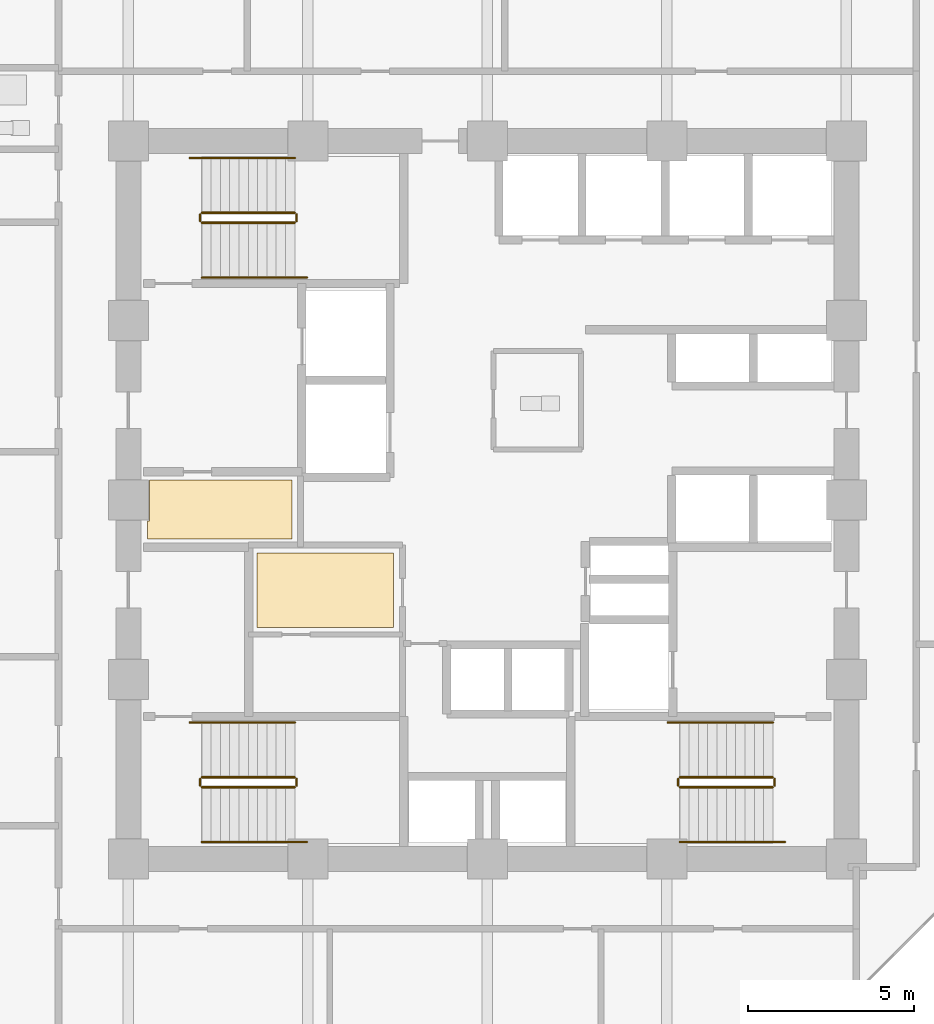
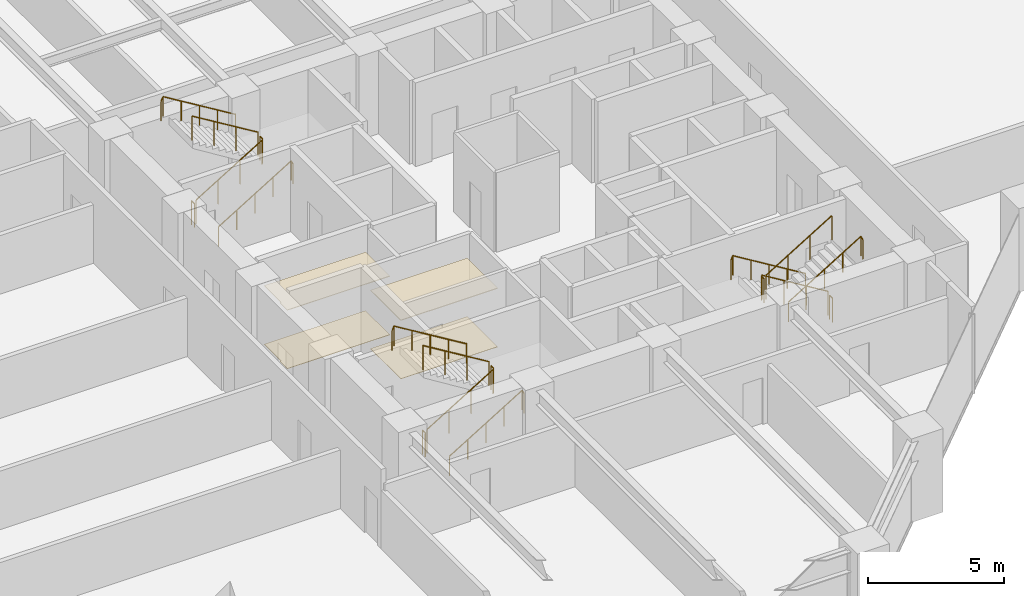
# One storey, part 23 of 24: 18 railings, 4 coverings.
"""IFC4 building model written with IfcOpenShell, lengths in metres."""

from ifc_helpers import new_model, si_unit, direction, frame, origin, origin_2d, place, context, subcontext, project, spatial, polyline, circle, outline, extrude, material, layer, layer_set, type_object, element, save


model = new_model("IFC4")

# Units and contexts
model_context = context("Model", 3, precision=1e-05, world=origin(), true_north=direction((0.0, 1.0)))
body_context = subcontext(model_context, "Body", "Model", "MODEL_VIEW")
ifc_project = project(units=[si_unit("LENGTHUNIT", "METRE"), si_unit("AREAUNIT", "SQUARE_METRE"), si_unit("VOLUMEUNIT", "CUBIC_METRE"), si_unit("PLANEANGLEUNIT", "RADIAN"), si_unit("MASSUNIT", "GRAM", prefix="KILO")], contexts=[model_context])

# Site, building, storey
site_placement = place(None, origin())
site = spatial("IfcSite", under=ifc_project, at=site_placement, CompositionType="ELEMENT")
building_placement = place(site_placement, origin())
building = spatial("IfcBuilding", under=site, at=building_placement, Name="Surkhivell Harbour Commons", CompositionType="ELEMENT")
storey_placement = place(building_placement, frame((0.0, 0.0, 26.25)))
storey = spatial("IfcBuildingStorey", under=building, at=storey_placement, Name="L06", CompositionType="ELEMENT", Elevation=26.25)

# Coverings
ifc_material_1 = material(Name="Perforated acoustic mineral-fibre ceiling tile", Category="other")
ifc_layer_1 = layer(ifc_material_1, 0.02490234375)
ifc_layer_set_1 = layer_set([ifc_layer_1], Name="Perforated acoustic mineral-fibre ceiling tile")
covering_type_1 = type_object("IfcCoveringType", Name="COV-CEIL-AC", PredefinedType="CEILING", material=ifc_layer_set_1)
covering_1_placement = place(storey_placement, frame((0.0, 0.0, 2.6240234375)))
element("IfcCovering", 1, at=covering_1_placement, inside=storey, type_object=covering_type_1, Name="L06 Suspended Acoustic Ceiling 1", PredefinedType="CEILING", context=body_context, shape_type="SweptSolid", body=[
    extrude(outline(polyline([(-10.219970703125, -1.179931640625), (-5.8701171875, -1.179931640625), (-5.8701171875, 0.60009765625), (-10.169921875, 0.60009765625), (-10.169921875, -0.6298828125), (-10.219970703125, -0.6298828125), (-10.219970703125, -1.179931640625)])), origin(), (0.0, 0.0, 1.0), 0.02490234375),
])
ifc_material_2 = material(Name="Moisture-resistant gypsum acoustic ceiling board", Category="other")
ifc_layer_2 = layer(ifc_material_2, 0.030029296875)
ifc_layer_set_2 = layer_set([ifc_layer_2], Name="Moisture-resistant gypsum acoustic ceiling board")
covering_type_2 = type_object("IfcCoveringType", Name="COV-CEIL-GYP", PredefinedType="CEILING", material=ifc_layer_set_2)
covering_2_placement = place(storey_placement, frame((0.0, 0.0, 2.618896484375)))
element("IfcCovering", 2, at=covering_2_placement, inside=storey, type_object=covering_type_2, Name="L06 Suspended Acoustic Ceiling 2", PredefinedType="CEILING", context=body_context, shape_type="SweptSolid", body=[
    extrude(outline(polyline([(-6.929931640625, -3.830078125), (-2.820068359375, -3.830078125), (-2.820068359375, -1.60009765625), (-6.929931640625, -1.60009765625), (-6.929931640625, -3.830078125)])), origin(), (0.0, 0.0, 1.0), 0.030029296875),
])
ifc_material_3 = material(Name="Engineered acoustic oak timber flooring", Category="wood")
ifc_layer_3 = layer(ifc_material_3, 0.02001953125)
ifc_layer_set_3 = layer_set([ifc_layer_3], Name="Engineered acoustic oak timber flooring")
covering_type_3 = type_object("IfcCoveringType", Name="COV-FLR-TIM", PredefinedType="FLOORING", material=ifc_layer_set_3)
covering_3_placement = place(storey_placement, origin())
element("IfcCovering", 3, at=covering_3_placement, inside=storey, type_object=covering_type_3, Name="L06 Interior Floor Finish 1", PredefinedType="FLOORING", context=body_context, shape_type="SweptSolid", body=[
    extrude(outline(polyline([(-10.219970703125, -1.179931640625), (-5.8701171875, -1.179931640625), (-5.8701171875, 0.60009765625), (-10.169921875, 0.60009765625), (-10.169921875, -0.6298828125), (-10.219970703125, -0.6298828125), (-10.219970703125, -1.179931640625)])), origin(), (0.0, 0.0, 1.0), 0.02001953125),
])
covering_4_placement = place(storey_placement, origin())
element("IfcCovering", 4, at=covering_4_placement, inside=storey, type_object=covering_type_3, Name="L06 Interior Floor Finish 2", PredefinedType="FLOORING", context=body_context, shape_type="SweptSolid", body=[
    extrude(outline(polyline([(-6.929931640625, -3.830078125), (-2.820068359375, -3.830078125), (-2.820068359375, -1.60009765625), (-6.929931640625, -1.60009765625), (-6.929931640625, -3.830078125)])), origin(), (0.0, 0.0, 1.0), 0.02001953125),
])

# Railings
ifc_material_4 = material(Name="Galvanised and painted steel S355 guard rail", Category="steel")
railing_type_1 = type_object("IfcRailingType", Name="RAL-ST-GRD1100", PredefinedType="GUARDRAIL", material=ifc_material_4)
railing_1_placement = place(storey_placement, frame((-8.590087890625, 8.340087890625, 0.17041015625)))
element("IfcRailing", 5, at=railing_1_placement, inside=storey, type_object=railing_type_1, Name="L06 ST1 stair guard 1", PredefinedType="GUARDRAIL", context=body_context, shape_type="SweptSolid", body=[
    extrude(circle(Radius=0.02392578125, at=origin_2d()), frame((0.0, 0.0, 1.076171875), z_axis=(0.854169791009, 0.0, 0.51999420009), x_axis=(0.0, 1.0, 0.0)), (0.0, 0.0, 1.0), 3.278076171875),
    extrude(circle(Radius=0.02099609375, at=origin_2d()), origin(), (0.0, 0.0, 1.0), 1.052001953125),
    extrude(circle(Radius=0.02099609375, at=origin_2d()), frame((0.933349609375, 0.0, 0.568115234375)), (0.0, 0.0, 1.0), 1.052001953125),
    extrude(circle(Radius=0.02099609375, at=origin_2d()), frame((1.86669921875, 0.0, 1.136474609375)), (0.0, 0.0, 1.0), 1.052001953125),
    extrude(circle(Radius=0.02099609375, at=origin_2d()), frame((2.800048828125, 0.0, 1.70458984375)), (0.0, 0.0, 1.0), 1.052001953125),
])
railing_2_placement = place(storey_placement, frame((-5.739990234375, 8.389892578125, 1.875)))
element("IfcRailing", 6, at=railing_2_placement, inside=storey, type_object=railing_type_1, Name="L06 ST1 stair guard 2", PredefinedType="GUARDRAIL", context=body_context, shape_type="SweptSolid", body=[
    extrude(circle(Radius=0.02392578125, at=origin_2d()), frame((0.0, 0.0, 1.076171875), z_axis=(0.0, 1.0, 0.0), x_axis=(-1.0, 0.0, 0.0)), (0.0, 0.0, 1.0), 0.2001953125),
    extrude(circle(Radius=0.02099609375, at=origin_2d()), origin(), (0.0, 0.0, 1.0), 1.052001953125),
    extrude(circle(Radius=0.02099609375, at=origin_2d()), frame((0.0, 0.2001953125, 0.0)), (0.0, 0.0, 1.0), 1.052001953125),
])
railing_3_placement = place(storey_placement, frame((-5.7900390625, 8.639892578125, 2.04541015625)))
element("IfcRailing", 7, at=railing_3_placement, inside=storey, type_object=railing_type_1, Name="L06 ST1 stair guard 3", PredefinedType="GUARDRAIL", context=body_context, shape_type="SweptSolid", body=[
    extrude(circle(Radius=0.02392578125, at=origin_2d()), frame((0.0, 0.0, 1.076171875), z_axis=(-0.854169791009, 0.0, 0.51999420009), x_axis=(0.0, -1.0, 0.0)), (0.0, 0.0, 1.0), 3.278076171875),
    extrude(circle(Radius=0.02099609375, at=origin_2d()), origin(), (0.0, 0.0, 1.0), 1.052001953125),
    extrude(circle(Radius=0.02099609375, at=origin_2d()), frame((-0.933349609375, 0.0, 0.568115234375)), (0.0, 0.0, 1.0), 1.052001953125),
    extrude(circle(Radius=0.02099609375, at=origin_2d()), frame((-1.86669921875, 0.0, 1.136474609375)), (0.0, 0.0, 1.0), 1.052001953125),
    extrude(circle(Radius=0.02099609375, at=origin_2d()), frame((-2.800048828125, 0.0, 1.70458984375)), (0.0, 0.0, 1.0), 1.052001953125),
])
railing_4_placement = place(storey_placement, frame((-8.639892578125, 8.389892578125, 0.0)))
element("IfcRailing", 8, at=railing_4_placement, inside=storey, type_object=railing_type_1, Name="L06 ST1 stair guard 4", PredefinedType="GUARDRAIL", context=body_context, shape_type="SweptSolid", body=[
    extrude(circle(Radius=0.02392578125, at=origin_2d()), frame((0.0, 0.0, 1.076171875), z_axis=(0.0, 1.0, 0.0), x_axis=(-1.0, 0.0, 0.0)), (0.0, 0.0, 1.0), 0.2001953125),
    extrude(circle(Radius=0.02099609375, at=origin_2d()), origin(), (0.0, 0.0, 1.0), 1.052001953125),
    extrude(circle(Radius=0.02099609375, at=origin_2d()), frame((0.0, 0.2001953125, 0.0)), (0.0, 0.0, 1.0), 1.052001953125),
])
railing_5_placement = place(storey_placement, frame((8.590087890625, -8.340087890625, 0.17041015625)))
element("IfcRailing", 9, at=railing_5_placement, inside=storey, type_object=railing_type_1, Name="L06 ST2 stair guard 1", PredefinedType="GUARDRAIL", context=body_context, shape_type="SweptSolid", body=[
    extrude(circle(Radius=0.02392578125, at=origin_2d()), frame((0.0, 0.0, 1.076171875), z_axis=(-0.854169791009, 0.0, 0.51999420009), x_axis=(0.0, -1.0, 0.0)), (0.0, 0.0, 1.0), 3.278076171875),
    extrude(circle(Radius=0.02099609375, at=origin_2d()), origin(), (0.0, 0.0, 1.0), 1.052001953125),
    extrude(circle(Radius=0.02099609375, at=origin_2d()), frame((-0.933349609375, 0.0, 0.568115234375)), (0.0, 0.0, 1.0), 1.052001953125),
    extrude(circle(Radius=0.02099609375, at=origin_2d()), frame((-1.86669921875, 0.0, 1.136474609375)), (0.0, 0.0, 1.0), 1.052001953125),
    extrude(circle(Radius=0.02099609375, at=origin_2d()), frame((-2.800048828125, 0.0, 1.70458984375)), (0.0, 0.0, 1.0), 1.052001953125),
])
railing_6_placement = place(storey_placement, frame((5.739990234375, -8.389892578125, 1.875)))
element("IfcRailing", 10, at=railing_6_placement, inside=storey, type_object=railing_type_1, Name="L06 ST2 stair guard 2", PredefinedType="GUARDRAIL", context=body_context, shape_type="SweptSolid", body=[
    extrude(circle(Radius=0.02392578125, at=origin_2d()), frame((0.0, 0.0, 1.076171875), z_axis=(0.0, -1.0, 0.0), x_axis=(1.0, 0.0, 0.0)), (0.0, 0.0, 1.0), 0.2001953125),
    extrude(circle(Radius=0.02099609375, at=origin_2d()), origin(), (0.0, 0.0, 1.0), 1.052001953125),
    extrude(circle(Radius=0.02099609375, at=origin_2d()), frame((0.0, -0.2001953125, 0.0)), (0.0, 0.0, 1.0), 1.052001953125),
])
railing_7_placement = place(storey_placement, frame((5.7900390625, -8.639892578125, 2.04541015625)))
element("IfcRailing", 11, at=railing_7_placement, inside=storey, type_object=railing_type_1, Name="L06 ST2 stair guard 3", PredefinedType="GUARDRAIL", context=body_context, shape_type="SweptSolid", body=[
    extrude(circle(Radius=0.02392578125, at=origin_2d()), frame((0.0, 0.0, 1.076171875), z_axis=(0.854169791009, 0.0, 0.51999420009), x_axis=(0.0, 1.0, 0.0)), (0.0, 0.0, 1.0), 3.278076171875),
    extrude(circle(Radius=0.02099609375, at=origin_2d()), origin(), (0.0, 0.0, 1.0), 1.052001953125),
    extrude(circle(Radius=0.02099609375, at=origin_2d()), frame((0.933349609375, 0.0, 0.568115234375)), (0.0, 0.0, 1.0), 1.052001953125),
    extrude(circle(Radius=0.02099609375, at=origin_2d()), frame((1.86669921875, 0.0, 1.136474609375)), (0.0, 0.0, 1.0), 1.052001953125),
    extrude(circle(Radius=0.02099609375, at=origin_2d()), frame((2.800048828125, 0.0, 1.70458984375)), (0.0, 0.0, 1.0), 1.052001953125),
])
railing_8_placement = place(storey_placement, frame((8.639892578125, -8.389892578125, 0.0)))
element("IfcRailing", 12, at=railing_8_placement, inside=storey, type_object=railing_type_1, Name="L06 ST2 stair guard 4", PredefinedType="GUARDRAIL", context=body_context, shape_type="SweptSolid", body=[
    extrude(circle(Radius=0.02392578125, at=origin_2d()), frame((0.0, 0.0, 1.076171875), z_axis=(0.0, -1.0, 0.0), x_axis=(1.0, 0.0, 0.0)), (0.0, 0.0, 1.0), 0.2001953125),
    extrude(circle(Radius=0.02099609375, at=origin_2d()), origin(), (0.0, 0.0, 1.0), 1.052001953125),
    extrude(circle(Radius=0.02099609375, at=origin_2d()), frame((0.0, -0.2001953125, 0.0)), (0.0, 0.0, 1.0), 1.052001953125),
])
railing_9_placement = place(storey_placement, frame((-8.590087890625, -8.639892578125, 0.17041015625)))
element("IfcRailing", 13, at=railing_9_placement, inside=storey, type_object=railing_type_1, Name="L06 ST3 stair guard 1", PredefinedType="GUARDRAIL", context=body_context, shape_type="SweptSolid", body=[
    extrude(circle(Radius=0.02392578125, at=origin_2d()), frame((0.0, 0.0, 1.076171875), z_axis=(0.854169791009, 0.0, 0.51999420009), x_axis=(0.0, 1.0, 0.0)), (0.0, 0.0, 1.0), 3.278076171875),
    extrude(circle(Radius=0.02099609375, at=origin_2d()), origin(), (0.0, 0.0, 1.0), 1.052001953125),
    extrude(circle(Radius=0.02099609375, at=origin_2d()), frame((0.933349609375, 0.0, 0.568115234375)), (0.0, 0.0, 1.0), 1.052001953125),
    extrude(circle(Radius=0.02099609375, at=origin_2d()), frame((1.86669921875, 0.0, 1.136474609375)), (0.0, 0.0, 1.0), 1.052001953125),
    extrude(circle(Radius=0.02099609375, at=origin_2d()), frame((2.800048828125, 0.0, 1.70458984375)), (0.0, 0.0, 1.0), 1.052001953125),
])
railing_10_placement = place(storey_placement, frame((-5.739990234375, -8.590087890625, 1.875)))
element("IfcRailing", 14, at=railing_10_placement, inside=storey, type_object=railing_type_1, Name="L06 ST3 stair guard 2", PredefinedType="GUARDRAIL", context=body_context, shape_type="SweptSolid", body=[
    extrude(circle(Radius=0.02392578125, at=origin_2d()), frame((0.0, 0.0, 1.076171875), z_axis=(0.0, 1.0, 0.0), x_axis=(-1.0, 0.0, 0.0)), (0.0, 0.0, 1.0), 0.2001953125),
    extrude(circle(Radius=0.02099609375, at=origin_2d()), origin(), (0.0, 0.0, 1.0), 1.052001953125),
    extrude(circle(Radius=0.02099609375, at=origin_2d()), frame((0.0, 0.2001953125, 0.0)), (0.0, 0.0, 1.0), 1.052001953125),
])
railing_11_placement = place(storey_placement, frame((-5.7900390625, -8.340087890625, 2.04541015625)))
element("IfcRailing", 15, at=railing_11_placement, inside=storey, type_object=railing_type_1, Name="L06 ST3 stair guard 3", PredefinedType="GUARDRAIL", context=body_context, shape_type="SweptSolid", body=[
    extrude(circle(Radius=0.02392578125, at=origin_2d()), frame((0.0, 0.0, 1.076171875), z_axis=(-0.854169791009, 0.0, 0.51999420009), x_axis=(0.0, -1.0, 0.0)), (0.0, 0.0, 1.0), 3.278076171875),
    extrude(circle(Radius=0.02099609375, at=origin_2d()), origin(), (0.0, 0.0, 1.0), 1.052001953125),
    extrude(circle(Radius=0.02099609375, at=origin_2d()), frame((-0.933349609375, 0.0, 0.568115234375)), (0.0, 0.0, 1.0), 1.052001953125),
    extrude(circle(Radius=0.02099609375, at=origin_2d()), frame((-1.86669921875, 0.0, 1.136474609375)), (0.0, 0.0, 1.0), 1.052001953125),
    extrude(circle(Radius=0.02099609375, at=origin_2d()), frame((-2.800048828125, 0.0, 1.70458984375)), (0.0, 0.0, 1.0), 1.052001953125),
])
railing_12_placement = place(storey_placement, frame((-8.639892578125, -8.590087890625, 0.0)))
element("IfcRailing", 16, at=railing_12_placement, inside=storey, type_object=railing_type_1, Name="L06 ST3 stair guard 4", PredefinedType="GUARDRAIL", context=body_context, shape_type="SweptSolid", body=[
    extrude(circle(Radius=0.02392578125, at=origin_2d()), frame((0.0, 0.0, 1.076171875), z_axis=(0.0, 1.0, 0.0), x_axis=(-1.0, 0.0, 0.0)), (0.0, 0.0, 1.0), 0.2001953125),
    extrude(circle(Radius=0.02099609375, at=origin_2d()), origin(), (0.0, 0.0, 1.0), 1.052001953125),
    extrude(circle(Radius=0.02099609375, at=origin_2d()), frame((0.0, 0.2001953125, 0.0)), (0.0, 0.0, 1.0), 1.052001953125),
])
ifc_material_5 = material(Name="Brushed stainless steel S355 handrail", Category="steel")
railing_type_2 = type_object("IfcRailingType", Name="RAL-ST-HND900", PredefinedType="HANDRAIL", material=ifc_material_5)
railing_13_placement = place(storey_placement, frame((-8.590087890625, 6.68994140625, 0.17041015625)))
element("IfcRailing", 17, at=railing_13_placement, inside=storey, type_object=railing_type_2, Name="L06 ST1 stair handrail 1", PredefinedType="HANDRAIL", context=body_context, shape_type="SweptSolid", body=[
    extrude(circle(Radius=0.02392578125, at=origin_2d()), frame((0.0, 0.0, 0.8759765625), z_axis=(0.854177636135, 0.0, 0.519981313056), x_axis=(0.0, 1.0, 0.0)), (0.0, 0.0, 1.0), 3.60595703125),
    extrude(circle(Radius=0.02392578125, at=origin_2d()), frame((3.080078125, 0.0, 2.7509765625), z_axis=(0.425297416671, 0.0, -0.905053648892), x_axis=(0.0, 1.0, 0.0)), (0.0, 0.0, 1.0), 0.188232421875),
    extrude(circle(Radius=0.02099609375, at=origin_2d()), origin(), (0.0, 0.0, 1.0), 0.851806640625),
    extrude(circle(Radius=0.02099609375, at=origin_2d()), frame((0.77001953125, 0.0, 0.46875)), (0.0, 0.0, 1.0), 0.851806640625),
    extrude(circle(Radius=0.02099609375, at=origin_2d()), frame((1.5400390625, 0.0, 0.9375)), (0.0, 0.0, 1.0), 0.851806640625),
    extrude(circle(Radius=0.02099609375, at=origin_2d()), frame((2.31005859375, 0.0, 1.40625)), (0.0, 0.0, 1.0), 0.851806640625),
    extrude(circle(Radius=0.02099609375, at=origin_2d()), frame((3.080078125, 0.0, 1.875)), (0.0, 0.0, 1.0), 0.851806640625),
    extrude(circle(Radius=0.02099609375, at=origin_2d()), frame((3.16015625, 0.0, 1.70458984375)), (0.0, 0.0, 1.0), 0.851806640625),
])
railing_14_placement = place(storey_placement, frame((-5.7900390625, 10.2900390625, 2.04541015625)))
element("IfcRailing", 18, at=railing_14_placement, inside=storey, type_object=railing_type_2, Name="L06 ST1 stair handrail 2", PredefinedType="HANDRAIL", context=body_context, shape_type="SweptSolid", body=[
    extrude(circle(Radius=0.02392578125, at=origin_2d()), frame((0.0, 0.0, 0.8759765625), z_axis=(-0.854177636135, 0.0, 0.519981313056), x_axis=(0.0, -1.0, 0.0)), (0.0, 0.0, 1.0), 3.60595703125),
    extrude(circle(Radius=0.02392578125, at=origin_2d()), frame((-3.080078125, 0.0, 2.7509765625), z_axis=(-0.424234432967, 0.0, -0.905552398199), x_axis=(0.0, -1.0, 0.0)), (0.0, 0.0, 1.0), 0.188232421875),
    extrude(circle(Radius=0.02099609375, at=origin_2d()), origin(), (0.0, 0.0, 1.0), 0.851806640625),
    extrude(circle(Radius=0.02099609375, at=origin_2d()), frame((-0.77001953125, 0.0, 0.46875)), (0.0, 0.0, 1.0), 0.851806640625),
    extrude(circle(Radius=0.02099609375, at=origin_2d()), frame((-1.5400390625, 0.0, 0.9375)), (0.0, 0.0, 1.0), 0.851806640625),
    extrude(circle(Radius=0.02099609375, at=origin_2d()), frame((-2.31005859375, 0.0, 1.40625)), (0.0, 0.0, 1.0), 0.851806640625),
    extrude(circle(Radius=0.02099609375, at=origin_2d()), frame((-3.080078125, 0.0, 1.875)), (0.0, 0.0, 1.0), 0.851806640625),
    extrude(circle(Radius=0.02099609375, at=origin_2d()), frame((-3.159912109375, 0.0, 1.70458984375)), (0.0, 0.0, 1.0), 0.851806640625),
])
railing_15_placement = place(storey_placement, frame((8.590087890625, -6.68994140625, 0.17041015625)))
element("IfcRailing", 19, at=railing_15_placement, inside=storey, type_object=railing_type_2, Name="L06 ST2 stair handrail 1", PredefinedType="HANDRAIL", context=body_context, shape_type="SweptSolid", body=[
    extrude(circle(Radius=0.02392578125, at=origin_2d()), frame((0.0, 0.0, 0.8759765625), z_axis=(-0.854177636135, 0.0, 0.519981313056), x_axis=(0.0, -1.0, 0.0)), (0.0, 0.0, 1.0), 3.60595703125),
    extrude(circle(Radius=0.02392578125, at=origin_2d()), frame((-3.080078125, 0.0, 2.7509765625), z_axis=(-0.425297416671, 0.0, -0.905053648892), x_axis=(0.0, -1.0, 0.0)), (0.0, 0.0, 1.0), 0.188232421875),
    extrude(circle(Radius=0.02099609375, at=origin_2d()), origin(), (0.0, 0.0, 1.0), 0.851806640625),
    extrude(circle(Radius=0.02099609375, at=origin_2d()), frame((-0.77001953125, 0.0, 0.46875)), (0.0, 0.0, 1.0), 0.851806640625),
    extrude(circle(Radius=0.02099609375, at=origin_2d()), frame((-1.5400390625, 0.0, 0.9375)), (0.0, 0.0, 1.0), 0.851806640625),
    extrude(circle(Radius=0.02099609375, at=origin_2d()), frame((-2.31005859375, 0.0, 1.40625)), (0.0, 0.0, 1.0), 0.851806640625),
    extrude(circle(Radius=0.02099609375, at=origin_2d()), frame((-3.080078125, 0.0, 1.875)), (0.0, 0.0, 1.0), 0.851806640625),
    extrude(circle(Radius=0.02099609375, at=origin_2d()), frame((-3.16015625, 0.0, 1.70458984375)), (0.0, 0.0, 1.0), 0.851806640625),
])
railing_16_placement = place(storey_placement, frame((5.7900390625, -10.2900390625, 2.04541015625)))
element("IfcRailing", 20, at=railing_16_placement, inside=storey, type_object=railing_type_2, Name="L06 ST2 stair handrail 2", PredefinedType="HANDRAIL", context=body_context, shape_type="SweptSolid", body=[
    extrude(circle(Radius=0.02392578125, at=origin_2d()), frame((0.0, 0.0, 0.8759765625), z_axis=(0.854177636135, 0.0, 0.519981313056), x_axis=(0.0, 1.0, 0.0)), (0.0, 0.0, 1.0), 3.60595703125),
    extrude(circle(Radius=0.02392578125, at=origin_2d()), frame((3.080078125, 0.0, 2.7509765625), z_axis=(0.424234432967, 0.0, -0.905552398199), x_axis=(0.0, 1.0, 0.0)), (0.0, 0.0, 1.0), 0.188232421875),
    extrude(circle(Radius=0.02099609375, at=origin_2d()), origin(), (0.0, 0.0, 1.0), 0.851806640625),
    extrude(circle(Radius=0.02099609375, at=origin_2d()), frame((0.77001953125, 0.0, 0.46875)), (0.0, 0.0, 1.0), 0.851806640625),
    extrude(circle(Radius=0.02099609375, at=origin_2d()), frame((1.5400390625, 0.0, 0.9375)), (0.0, 0.0, 1.0), 0.851806640625),
    extrude(circle(Radius=0.02099609375, at=origin_2d()), frame((2.31005859375, 0.0, 1.40625)), (0.0, 0.0, 1.0), 0.851806640625),
    extrude(circle(Radius=0.02099609375, at=origin_2d()), frame((3.080078125, 0.0, 1.875)), (0.0, 0.0, 1.0), 0.851806640625),
    extrude(circle(Radius=0.02099609375, at=origin_2d()), frame((3.159912109375, 0.0, 1.70458984375)), (0.0, 0.0, 1.0), 0.851806640625),
])
railing_17_placement = place(storey_placement, frame((-8.590087890625, -10.2900390625, 0.17041015625)))
element("IfcRailing", 21, at=railing_17_placement, inside=storey, type_object=railing_type_2, Name="L06 ST3 stair handrail 1", PredefinedType="HANDRAIL", context=body_context, shape_type="SweptSolid", body=[
    extrude(circle(Radius=0.02392578125, at=origin_2d()), frame((0.0, 0.0, 0.8759765625), z_axis=(0.854177636135, 0.0, 0.519981313056), x_axis=(0.0, 1.0, 0.0)), (0.0, 0.0, 1.0), 3.60595703125),
    extrude(circle(Radius=0.02392578125, at=origin_2d()), frame((3.080078125, 0.0, 2.7509765625), z_axis=(0.425297416671, 0.0, -0.905053648892), x_axis=(0.0, 1.0, 0.0)), (0.0, 0.0, 1.0), 0.188232421875),
    extrude(circle(Radius=0.02099609375, at=origin_2d()), origin(), (0.0, 0.0, 1.0), 0.851806640625),
    extrude(circle(Radius=0.02099609375, at=origin_2d()), frame((0.77001953125, 0.0, 0.46875)), (0.0, 0.0, 1.0), 0.851806640625),
    extrude(circle(Radius=0.02099609375, at=origin_2d()), frame((1.5400390625, 0.0, 0.9375)), (0.0, 0.0, 1.0), 0.851806640625),
    extrude(circle(Radius=0.02099609375, at=origin_2d()), frame((2.31005859375, 0.0, 1.40625)), (0.0, 0.0, 1.0), 0.851806640625),
    extrude(circle(Radius=0.02099609375, at=origin_2d()), frame((3.080078125, 0.0, 1.875)), (0.0, 0.0, 1.0), 0.851806640625),
    extrude(circle(Radius=0.02099609375, at=origin_2d()), frame((3.16015625, 0.0, 1.70458984375)), (0.0, 0.0, 1.0), 0.851806640625),
])
railing_18_placement = place(storey_placement, frame((-5.7900390625, -6.68994140625, 2.04541015625)))
element("IfcRailing", 22, at=railing_18_placement, inside=storey, type_object=railing_type_2, Name="L06 ST3 stair handrail 2", PredefinedType="HANDRAIL", context=body_context, shape_type="SweptSolid", body=[
    extrude(circle(Radius=0.02392578125, at=origin_2d()), frame((0.0, 0.0, 0.8759765625), z_axis=(-0.854177636135, 0.0, 0.519981313056), x_axis=(0.0, -1.0, 0.0)), (0.0, 0.0, 1.0), 3.60595703125),
    extrude(circle(Radius=0.02392578125, at=origin_2d()), frame((-3.080078125, 0.0, 2.7509765625), z_axis=(-0.424234432967, 0.0, -0.905552398199), x_axis=(0.0, -1.0, 0.0)), (0.0, 0.0, 1.0), 0.188232421875),
    extrude(circle(Radius=0.02099609375, at=origin_2d()), origin(), (0.0, 0.0, 1.0), 0.851806640625),
    extrude(circle(Radius=0.02099609375, at=origin_2d()), frame((-0.77001953125, 0.0, 0.46875)), (0.0, 0.0, 1.0), 0.851806640625),
    extrude(circle(Radius=0.02099609375, at=origin_2d()), frame((-1.5400390625, 0.0, 0.9375)), (0.0, 0.0, 1.0), 0.851806640625),
    extrude(circle(Radius=0.02099609375, at=origin_2d()), frame((-2.31005859375, 0.0, 1.40625)), (0.0, 0.0, 1.0), 0.851806640625),
    extrude(circle(Radius=0.02099609375, at=origin_2d()), frame((-3.080078125, 0.0, 1.875)), (0.0, 0.0, 1.0), 0.851806640625),
    extrude(circle(Radius=0.02099609375, at=origin_2d()), frame((-3.159912109375, 0.0, 1.70458984375)), (0.0, 0.0, 1.0), 0.851806640625),
])

save(model, "model.ifc")
